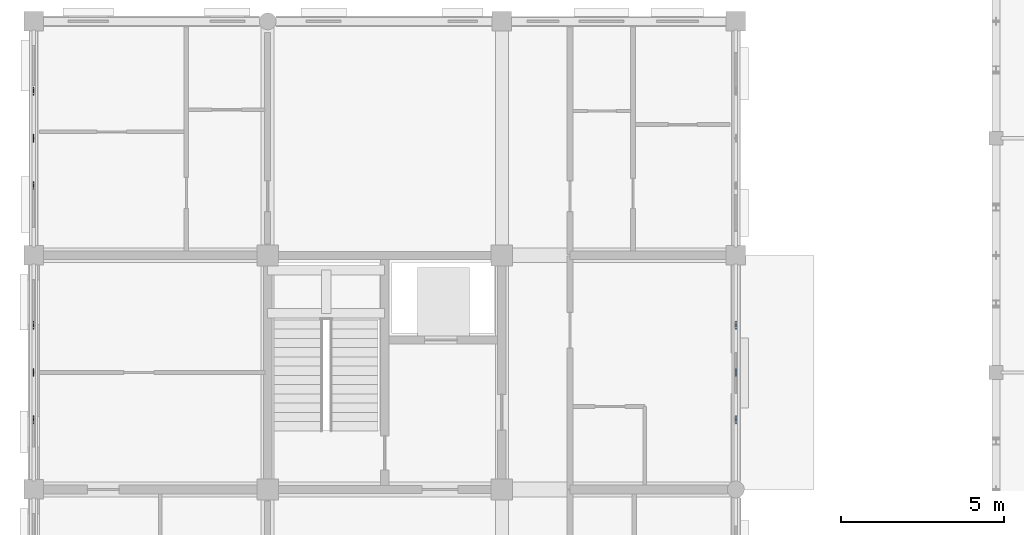
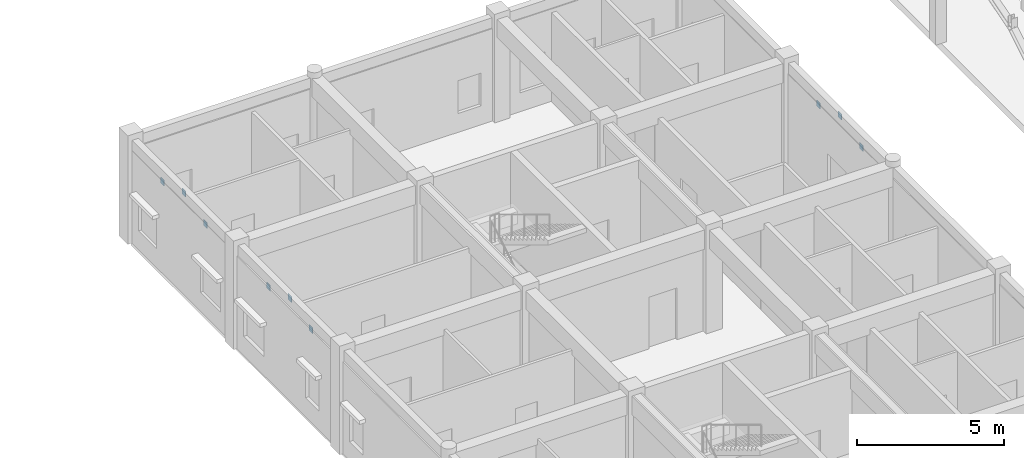
# One storey, part 78 of 138: 9 plates.
"""IFC4 building model written with IfcOpenShell, lengths in metres."""

from ifc_helpers import new_model, si_unit, direction, frame, origin, origin_2d, place, context, subcontext, project, spatial, rectangle, extrude, material, layer, layer_set, type_object, element, save


model = new_model("IFC4")

# Units and contexts
model_context = context("Model", 3, precision=1e-05, world=origin(), true_north=direction((0.0, 1.0)))
body_context = subcontext(model_context, "Body", "Model", "MODEL_VIEW")
ifc_project = project(units=[si_unit("LENGTHUNIT", "METRE"), si_unit("AREAUNIT", "SQUARE_METRE"), si_unit("VOLUMEUNIT", "CUBIC_METRE"), si_unit("PLANEANGLEUNIT", "RADIAN"), si_unit("MASSUNIT", "GRAM", prefix="KILO"), si_unit("THERMODYNAMICTEMPERATUREUNIT", "KELVIN"), si_unit("POWERUNIT", "WATT")], contexts=[model_context])

# Site, building, storey
site_placement = place(None, origin())
site = spatial("IfcSite", under=ifc_project, at=site_placement, CompositionType="ELEMENT")
building_placement = place(site_placement, origin())
building = spatial("IfcBuilding", under=site, at=building_placement, Name="Tavuni Mirador Residences", CompositionType="ELEMENT")
storey_placement = place(building_placement, origin())
storey = spatial("IfcBuildingStorey", under=building, at=storey_placement, Name="L00", CompositionType="ELEMENT", Elevation=0.0)

# Plates
ifc_material = material(Name="Structural steel S355", Category="steel")
ifc_layer = layer(ifc_material, 0.01806640625, Name="Structural steel S355", Category="steel")
ifc_layer_set = layer_set([ifc_layer], Name="Structural steel S355")
plate_type = type_object("IfcPlateType", Name="PLT-GP05", PredefinedType="USERDEFINED", material=ifc_layer_set)
for number, where, z_axis, x_axis, name in (
    (1, (3.60009765625, 88.548095703125, 3.509765625), (0.0, 0.0, 1.0), (1.0, 0.0, 0.0), "ARCH-BLKB-W-03-GQ1"),
    (2, (3.60009765625, 90.0, 3.93017578125), (0.0, 0.0, 1.0), (1.0, 0.0, 0.0), "ARCH-BLKB-W-03-GCR"),
    (3, (3.60009765625, 91.451904296875, 3.509765625), (0.0, 0.0, 1.0), (1.0, 0.0, 0.0), "ARCH-BLKB-W-03-GQ2"),
    (4, (3.60009765625, 95.748046875, 3.509765625), (0.0, 0.0, 1.0), (1.0, 0.0, 0.0), "ARCH-BLKB-W-04-GQ1"),
    (5, (3.60009765625, 97.199951171875, 3.93017578125), (0.0, 0.0, 1.0), (1.0, 0.0, 0.0), "ARCH-BLKB-W-04-GCR"),
    (6, (3.60009765625, 98.652099609375, 3.509765625), (0.0, 0.0, 1.0), (1.0, 0.0, 0.0), "ARCH-BLKB-W-04-GQ2"),
    (7, (25.199951171875, 88.548095703125, 3.509765625), (0.0, 0.0, 1.0), (1.0, 0.0, 0.0), "ARCH-BLKB-E-03-GQ1"),
    (8, (25.199951171875, 90.0, 3.93017578125), (0.0, 0.0, 1.0), (1.0, 0.0, 0.0), "ARCH-BLKB-E-03-GCR"),
    (9, (25.199951171875, 91.451904296875, 3.509765625), (0.0, 0.0, 1.0), (1.0, 0.0, 0.0), "ARCH-BLKB-E-03-GQ2"),
):
    element("IfcPlate", number, at=place(storey_placement, frame(where, z_axis=z_axis, x_axis=x_axis)), inside=storey, type_object=plate_type, Name=name, ObjectType="GUSSET PLATE", PredefinedType="USERDEFINED", context=body_context, shape_type="SweptSolid", body=[
        extrude(rectangle(XDim=0.02001953125, YDim=0.239990234375, at=origin_2d()), origin(), (0.0, 0.0, 1.0), 0.239990234375),
    ])

save(model, "model.ifc")
